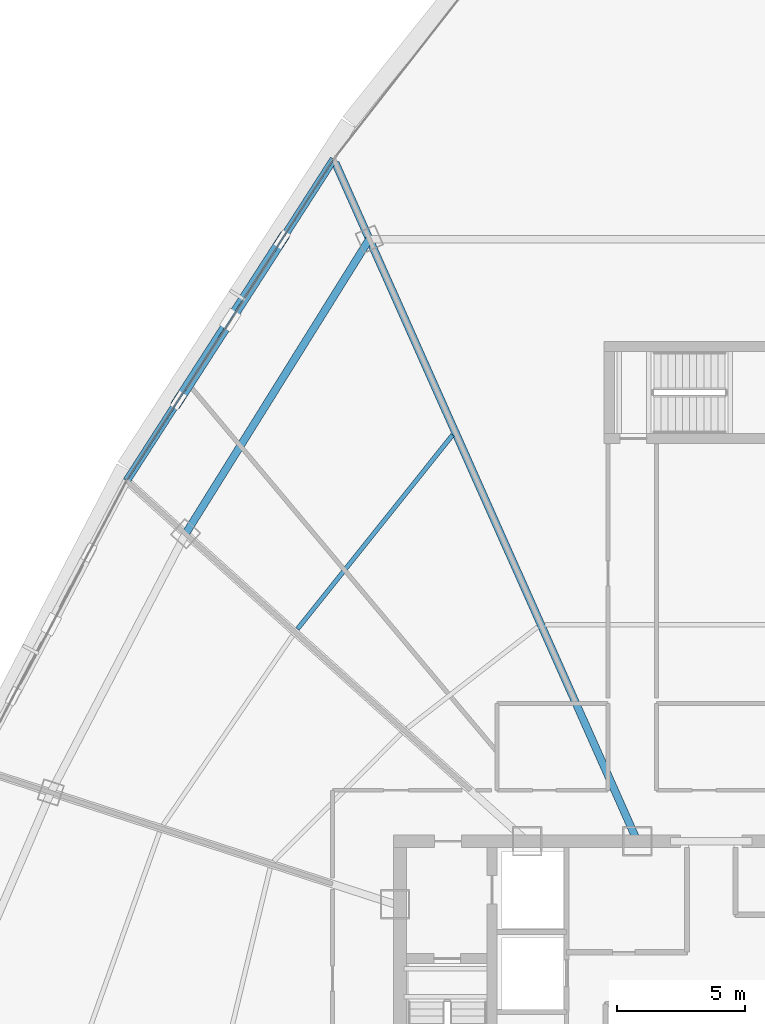
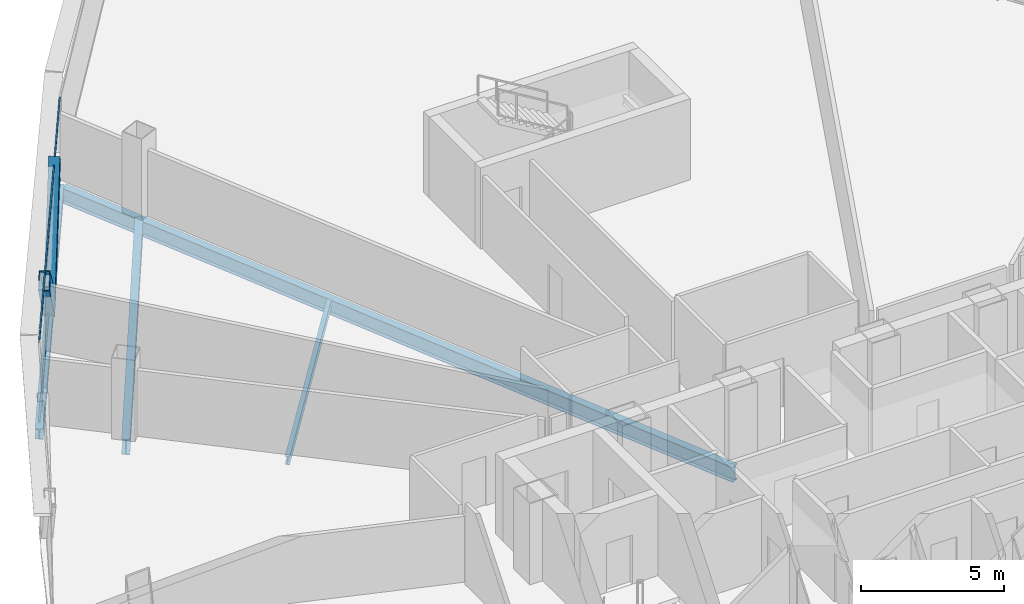
# One storey, part 15 of 34: 4 beams, 4 members, 1 element without a shape of its own.
"""IFC4 building model written with IfcOpenShell, lengths in metres."""

from ifc_helpers import new_model, si_unit, direction, frame, origin, origin_2d, place, context, subcontext, project, spatial, hollow_rectangle, i_section, extrude, source, transform, mapped, material, layer, layer_set, material_profile, profile_set, type_object, element, aggregate, save


model = new_model("IFC4")

# Units and contexts
model_context = context("Model", 3, precision=1e-05, world=origin(), true_north=direction((0.0, 1.0)))
body_context = subcontext(model_context, "Body", "Model", "MODEL_VIEW")
ifc_project = project(units=[si_unit("LENGTHUNIT", "METRE"), si_unit("AREAUNIT", "SQUARE_METRE"), si_unit("VOLUMEUNIT", "CUBIC_METRE"), si_unit("PLANEANGLEUNIT", "RADIAN"), si_unit("MASSUNIT", "GRAM", prefix="KILO"), si_unit("THERMODYNAMICTEMPERATUREUNIT", "KELVIN"), si_unit("POWERUNIT", "WATT")], contexts=[model_context])

# Site, building, storey
site_placement = place(None, origin())
site = spatial("IfcSite", under=ifc_project, at=site_placement, CompositionType="ELEMENT")
building_placement = place(site_placement, origin())
building = spatial("IfcBuilding", under=site, at=building_placement, Name="Yunzhuo Pagoda Commons", CompositionType="ELEMENT")
storey_placement = place(building_placement, frame((0.0, 0.0, 233.340087890625)))
storey = spatial("IfcBuildingStorey", under=building, at=storey_placement, Name="L58", CompositionType="ELEMENT", Elevation=233.340087890625)

# Beams
ifc_material_1 = material(Name="Structural steel Q355B", Category="steel")
ifc_material_profile_1 = material_profile(ifc_material_1, i_section(OverallWidth=0.300048828125, OverallDepth=0.43994140625, WebThickness=0.010986328125, FlangeThickness=0.01806640625, at=origin_2d()), Name="Structural steel Q355B")
ifc_profile_set_1 = profile_set([ifc_material_profile_1], Name="Structural steel Q355B")
beam_type_1 = type_object("IfcBeamType", Name="B-SP2 Beam HM 440x300x11x18", PredefinedType="BEAM", material=ifc_profile_set_1)
shared_shape_1 = source(origin(), body_context, "Body", "SweptSolid", [
    extrude(i_section(OverallWidth=0.300048828125, OverallDepth=0.43994140625, WebThickness=0.010986328125, FlangeThickness=0.01806640625, at=origin_2d()), origin(), (0.0, 0.0, 1.0), 14.9970703125),
])
beam_1_placement = place(storey_placement, frame((33.197265625, 66.947998046875, -0.47998046875), z_axis=(-0.541345740503, -0.840800088748, 0.0), x_axis=(0.840800088748, -0.541345740503, 0.0)))
element("IfcBeam", 1, at=beam_1_placement, inside=storey, type_object=beam_type_1, Name="L58 facade edge spandrel beam F3.1", PredefinedType="BEAM", context=body_context, shape_type="MappedRepresentation", body=[
    mapped(shared_shape_1, transform((0.0, 0.0, 0.0), scale=1.0)),
])
ifc_material_profile_2 = material_profile(ifc_material_1, i_section(OverallWidth=0.300048828125, OverallDepth=0.64990234375, WebThickness=0.012939453125, FlangeThickness=0.02197265625, at=origin_2d()), Name="Structural steel Q355B")
ifc_profile_set_2 = profile_set([ifc_material_profile_2], Name="Structural steel Q355B")
beam_type_2 = type_object("IfcBeamType", Name="B-RG2 Beam HN 650x300x13x22", PredefinedType="BEAM", material=ifc_profile_set_2)
shared_shape_2 = source(origin(), body_context, "Body", "SweptSolid", [
    extrude(i_section(OverallWidth=0.300048828125, OverallDepth=0.64990234375, WebThickness=0.012939453125, FlangeThickness=0.02197265625, at=origin_2d()), origin(), (0.0, 0.0, 1.0), 13.615478515625),
])
beam_2_placement = place(storey_placement, frame((34.59326171875, 63.81201171875, -0.585205078125), z_axis=(-0.529178300485, -0.848510651846, 0.0), x_axis=(0.848510651846, -0.529178300485, 0.0)))
element("IfcBeam", 2, at=beam_2_placement, inside=storey, type_object=beam_type_2, Name="L58 column-ring beam 9", PredefinedType="BEAM", context=body_context, shape_type="MappedRepresentation", body=[
    mapped(shared_shape_2, transform((0.0, 0.0, 0.0), scale=1.0)),
])
shared_shape_3 = source(origin(), body_context, "Body", "SweptSolid", [
    extrude(i_section(OverallWidth=0.300048828125, OverallDepth=0.64990234375, WebThickness=0.012939453125, FlangeThickness=0.02197265625, at=origin_2d()), origin(), (0.0, 0.0, 1.0), 29.12451171875),
])
beam_3_placement = place(storey_placement, frame((33.260009765625, 66.806640625, -0.585205078125), z_axis=(0.406733373538, -0.913546913328, 0.0), x_axis=(0.913546913328, 0.406733373538, 0.0)))
element("IfcBeam", 3, at=beam_3_placement, inside=storey, type_object=beam_type_2, Name="L58 radial floor girder F3C1", PredefinedType="BEAM", context=body_context, shape_type="MappedRepresentation", body=[
    mapped(shared_shape_3, transform((0.0, 0.0, 0.0), scale=1.0)),
])
ifc_material_profile_3 = material_profile(ifc_material_1, i_section(OverallWidth=0.175048828125, OverallDepth=0.35009765625, WebThickness=0.007080078125, FlangeThickness=0.010986328125, at=origin_2d()), Name="Structural steel Q355B")
ifc_profile_set_3 = profile_set([ifc_material_profile_3], Name="Structural steel Q355B")
beam_type_3 = type_object("IfcBeamType", Name="B-JS2 Joist HN 350x175x7x11", PredefinedType="JOIST", material=ifc_profile_set_3)
shared_shape_4 = source(origin(), body_context, "Body", "SweptSolid", [
    extrude(i_section(OverallWidth=0.175048828125, OverallDepth=0.35009765625, WebThickness=0.007080078125, FlangeThickness=0.010986328125, at=origin_2d()), origin(), (0.0, 0.0, 1.0), 9.741455078125),
])
beam_4_placement = place(storey_placement, frame((37.85791015625, 56.1318359375, -0.43505859375), z_axis=(-0.624618636222, -0.780929932378, 0.0), x_axis=(0.780929932378, -0.624618636222, 0.0)))
element("IfcBeam", 4, at=beam_4_placement, inside=storey, type_object=beam_type_3, Name="L58 composite ring joist 2.9", PredefinedType="JOIST", context=body_context, shape_type="MappedRepresentation", body=[
    mapped(shared_shape_4, transform((0.0, 0.0, 0.0), scale=1.0)),
])

# Members
ifc_material_profile_4 = material_profile(ifc_material_1, hollow_rectangle(XDim=0.39990234375, YDim=0.719970703125, WallThickness=0.02392578125, at=origin_2d()), Name="Structural steel Q355B")
ifc_profile_set_4 = profile_set([ifc_material_profile_4], Name="Structural steel Q355B")
member_type_1 = type_object("IfcMemberType", Name="M-DL2 Brace BOX 720x400x24", PredefinedType="BRACE", material=ifc_profile_set_4)
shared_shape_5 = source(origin(), body_context, "Body", "SweptSolid", [
    extrude(hollow_rectangle(XDim=0.39990234375, YDim=0.719970703125, WallThickness=0.02392578125, at=origin_2d()), origin(), (0.0, 0.0, 1.0), 5.288818359375),
])
member_1_placement = place(storey_placement, frame((29.1376953125, 60.6435546875, -0.260009765625), z_axis=(-0.383748711328, -0.596096127677, 0.705270397169), x_axis=(0.840829218209, -0.541300494925, 0.0)))
element("IfcMember", 5, at=member_1_placement, inside=storey, type_object=member_type_1, Name="L58 facade diamond brace F3.1R", PredefinedType="BRACE", context=body_context, shape_type="MappedRepresentation", body=[
    mapped(shared_shape_5, transform((0.0, 0.0, 0.0), scale=1.0)),
])
shared_shape_6 = source(origin(), body_context, "Body", "SweptSolid", [
    extrude(hollow_rectangle(XDim=0.39990234375, YDim=0.719970703125, WallThickness=0.02392578125, at=origin_2d()), origin(), (0.0, 0.0, 1.0), 5.28857421875),
])
member_2_placement = place(storey_placement, frame((29.1376953125, 60.6435546875, -0.260009765625), z_axis=(0.383848558432, 0.596015482611, 0.705284218367), x_axis=(-0.840731769629, 0.541451836765, 0.0)))
element("IfcMember", 6, at=member_2_placement, inside=storey, type_object=member_type_1, Name="L58 facade diamond brace F3.1L", PredefinedType="BRACE", context=body_context, shape_type="MappedRepresentation", body=[
    mapped(shared_shape_6, transform((0.0, 0.0, 0.0), scale=1.0)),
])

# Curtain wall, members
ifc_material_2 = material(Name="Anodized aluminium 6063-T6", Category="aluminium")
ifc_layer = layer(ifc_material_2, 0.139892578125)
ifc_layer_set = layer_set([ifc_layer], Name="Anodized aluminium 6063-T6")
curtain_wall_type = type_object("IfcCurtainWallType", Name="CW-HI High-Zone Ribbon Curtain Wall", PredefinedType="NOTDEFINED", material=ifc_layer_set)
curtain_wall_placement = place(storey_placement, origin())
curtain_wall = element("IfcCurtainWall", 7, at=curtain_wall_placement, inside=storey, type_object=curtain_wall_type, Name="L58 curtain wall CW-L58-F3B2", PredefinedType="NOTDEFINED")
ifc_material_profile_5 = material_profile(ifc_material_2, hollow_rectangle(XDim=0.054931640625, YDim=0.1201171875, WallThickness=0.00341796875, at=origin_2d()), Name="Anodized aluminium 6063-T6")
ifc_profile_set_5 = profile_set([ifc_material_profile_5], Name="Anodized aluminium 6063-T6")
member_type_2 = type_object("IfcMemberType", Name="CW-HI-T Transom RHS 120x55x3.5", PredefinedType="USERDEFINED", material=ifc_profile_set_5)
shared_shape_7 = source(origin(), body_context, "Body", "SweptSolid", [
    extrude(hollow_rectangle(XDim=0.054931640625, YDim=0.1201171875, WallThickness=0.00341796875, at=origin_2d()), origin(), (0.0, 0.0, 1.0), 14.877197265625),
])
member_3_placement = place(storey_placement, frame((33.16455078125, 66.897705078125, 0.02734375), z_axis=(-0.541333076232, -0.840808242453, 0.0), x_axis=(0.840808242453, -0.541333076232, 0.0)))
member_3 = element("IfcMember", 8, at=member_3_placement, type_object=member_type_2, Name="CW transom 1.1", ObjectType="TRANSOM", PredefinedType="USERDEFINED", context=body_context, shape_type="MappedRepresentation", body=[
    mapped(shared_shape_7, transform((0.0, 0.0, 0.0), scale=1.0)),
])
member_4_placement = place(storey_placement, frame((33.16455078125, 66.897705078125, 3.4423828125), z_axis=(-0.541333076232, -0.840808242453, 0.0), x_axis=(0.840808242453, -0.541333076232, 0.0)))
member_4 = element("IfcMember", 9, at=member_4_placement, type_object=member_type_2, Name="CW transom 1.2", ObjectType="TRANSOM", PredefinedType="USERDEFINED", context=body_context, shape_type="MappedRepresentation", body=[
    mapped(shared_shape_7, transform((0.0, 0.0, 0.0), scale=1.0)),
])
aggregate(curtain_wall, [member_3, member_4])

save(model, "model.ifc")
